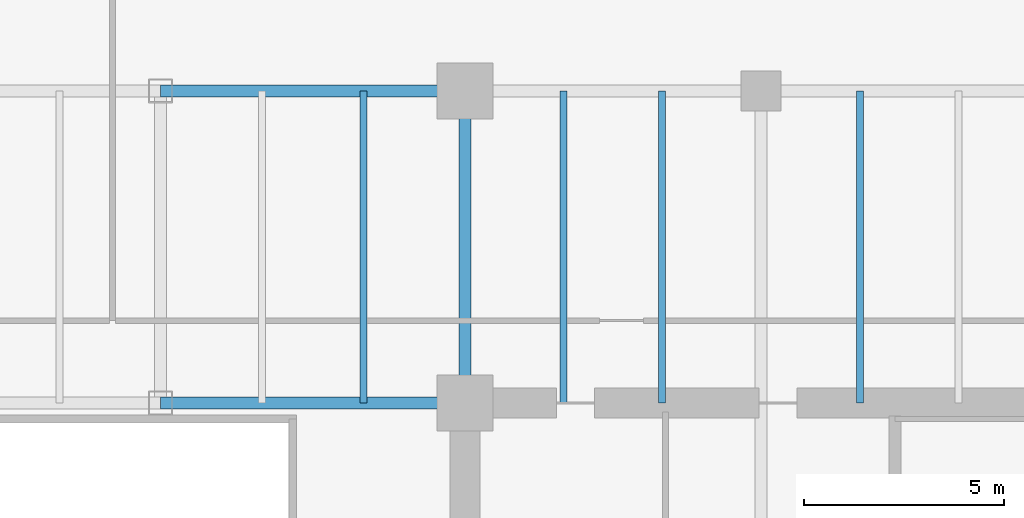
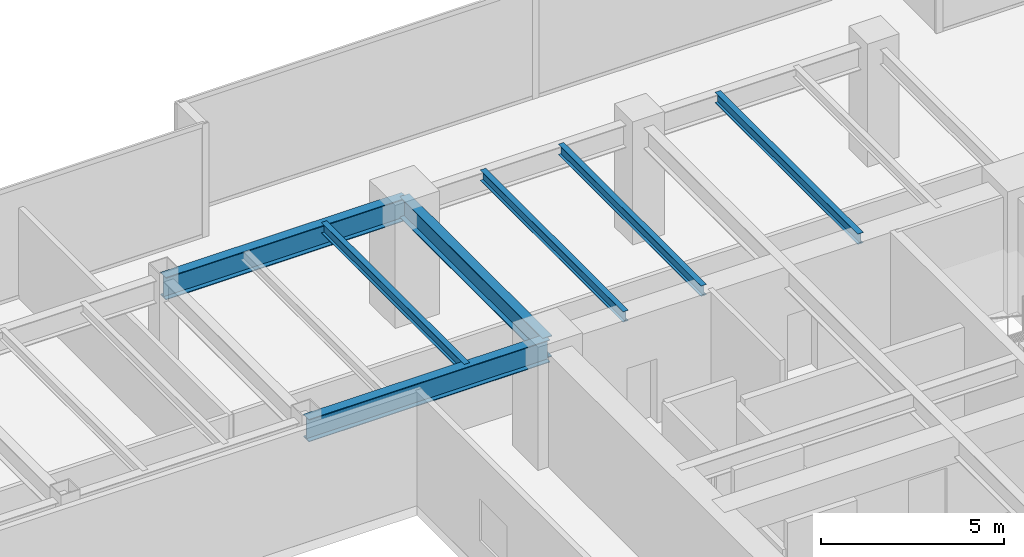
# One storey, part 19 of 35: 7 beams.
"""IFC4 building model written with IfcOpenShell, lengths in metres."""

import ifcopenshell
import ifcopenshell.guid

model = None  # the IFC model being written
_history = None  # IfcOwnerHistory: only IFC2X3 demands one
_inside = {}  # id of a spatial element -> (the spatial element, [elements in it])
_under = {}  # id of a project, library or spatial element -> (it, [spatial elements below it])
_declared = {}  # id of a project -> (the project, [libraries it declares])
_typed = {}  # id of a type object -> (the type object, [elements of that type])
_made_of = {}  # id of a material, layer set ... -> (it, [elements and type objects made of it])


def new_model(schema):
    """Start an empty IFC model of exactly this schema.

    Asked for "IFC4X3", IfcOpenShell would pick the latest addendum, in which some entities
    have other attributes; the version numbers below select the first issue.
    IFC2X3 requires an IfcOwnerHistory on every rooted entity: one is made here for all.
    """
    global model, _history
    if schema == "IFC4X3":
        model = ifcopenshell.file(schema_version=(4, 3, 0, 0))
    else:
        model = ifcopenshell.file(schema=schema)
    _inside.clear()
    _under.clear()
    _declared.clear()
    _typed.clear()
    _made_of.clear()
    _history = None
    if model.schema == "IFC2X3":
        org = make("IfcOrganization", Name="unknown")
        user = make(
            "IfcPersonAndOrganization",
            ThePerson=make("IfcPerson", FamilyName="unknown"),
            TheOrganization=org,
        )
        app = make(
            "IfcApplication",
            ApplicationDeveloper=org,
            Version="unknown",
            ApplicationFullName="unknown",
            ApplicationIdentifier="unknown",
        )
        _history = make(
            "IfcOwnerHistory",
            OwningUser=user,
            OwningApplication=app,
            ChangeAction="ADDED",
            CreationDate=0,
        )
    return model


def make(cls, **values):
    """One entity of the class cls with the attributes given. An attribute that is None is left unset."""
    return model.create_entity(
        cls, **{name: value for name, value in values.items() if value is not None}
    )


def rooted(cls, **values):
    """An entity with a GlobalId (a new one), such as an element, a storey or a relation."""
    return make(cls, GlobalId=ifcopenshell.guid.new(), OwnerHistory=_history, **values)


def si_unit(unit_type, name, prefix=None):
    """IfcSIUnit, for example si_unit("LENGTHUNIT", "METRE", prefix="MILLI")."""
    return make("IfcSIUnit", UnitType=unit_type, Prefix=prefix, Name=name)


def assignment(units):
    """IfcUnitAssignment: the units of a project."""
    return None if units is None else make("IfcUnitAssignment", Units=units)


def point(xyz):
    """IfcCartesianPoint."""
    return None if xyz is None else make("IfcCartesianPoint", Coordinates=xyz)


def direction(xyz):
    """IfcDirection."""
    return None if xyz is None else make("IfcDirection", DirectionRatios=xyz)


def frame(location, z_axis=None, x_axis=None):
    """IfcAxis2Placement3D, a coordinate frame: its origin and axes. An axis left out is left unset."""
    return make(
        "IfcAxis2Placement3D",
        Location=point(location),
        Axis=direction(z_axis),
        RefDirection=direction(x_axis),
    )


def frame_2d(location, x_axis=None):
    """IfcAxis2Placement2D, a coordinate frame in the plane: its origin and x axis."""
    return make(
        "IfcAxis2Placement2D", Location=point(location), RefDirection=direction(x_axis)
    )


def origin():
    """The frame at (0, 0, 0) with its axes left unset."""
    return frame((0.0, 0.0, 0.0))


def origin_2d():
    """The frame at (0, 0) in the plane with its x axis left unset."""
    return frame_2d((0.0, 0.0))


def place(relative_to, where):
    """IfcLocalPlacement: puts the frame where relative to a parent placement (None: the world)."""
    return make(
        "IfcLocalPlacement", PlacementRelTo=relative_to, RelativePlacement=where
    )


def context(
    kind, dimensions, precision=None, world=None, true_north=None, identifier=None
):
    """IfcGeometricRepresentationContext, for example the 3D "Model" context."""
    return make(
        "IfcGeometricRepresentationContext",
        ContextIdentifier=identifier,
        ContextType=kind,
        CoordinateSpaceDimension=dimensions,
        Precision=precision,
        WorldCoordinateSystem=world,
        TrueNorth=true_north,
    )


def subcontext(parent, identifier, kind, view, scale=None):
    """IfcGeometricRepresentationSubContext, for example "Body" below "Model"."""
    return make(
        "IfcGeometricRepresentationSubContext",
        ContextIdentifier=identifier,
        ContextType=kind,
        ParentContext=parent,
        TargetScale=scale,
        TargetView=view,
    )


def project(units=None, contexts=None):
    """IfcProject with its units and contexts."""
    return rooted(
        "IfcProject",
        Name="project",
        RepresentationContexts=contexts,
        UnitsInContext=assignment(units),
    )


def spatial(cls, under=None, at=None, **own):
    """A site, building, storey or space (cls), placed at a placement, below another one or the project."""
    s = rooted(cls, ObjectPlacement=at, **own)
    if under is not None:
        _under.setdefault(under.id(), (under, []))[1].append(s)
    return s


def profile(cls, at=None, kind="AREA", **sizes):
    """A parametric profile (cls). Its sizes go by their IFC names, for example OverallWidth=200.0."""
    return make(cls, ProfileType=kind, Position=at, **sizes)


def i_section(**sizes):
    """IfcIShapeProfileDef."""
    return profile("IfcIShapeProfileDef", **sizes)


def extrude(swept, where, along, depth):
    """IfcExtrudedAreaSolid: the profile swept, set in the frame where, extruded along a direction by depth."""
    return make(
        "IfcExtrudedAreaSolid",
        SweptArea=swept,
        Position=where,
        ExtrudedDirection=direction(along),
        Depth=depth,
    )


def shape(context_of_items, identifier, shape_type, items):
    """IfcShapeRepresentation: the items that make up one representation, for example the "Body"."""
    return make(
        "IfcShapeRepresentation",
        ContextOfItems=context_of_items,
        RepresentationIdentifier=identifier,
        RepresentationType=shape_type,
        Items=items,
    )


def source(mapping_origin, context_of_items, identifier, shape_type, items):
    """IfcRepresentationMap: a shape defined once, which mapped items show again and again."""
    return make(
        "IfcRepresentationMap",
        MappingOrigin=mapping_origin,
        MappedRepresentation=shape(context_of_items, identifier, shape_type, items),
    )


def transform(
    local_origin,
    x_axis=None,
    y_axis=None,
    z_axis=None,
    scale=None,
    scale2=None,
    scale3=None,
    uniform=True,
):
    """IfcCartesianTransformationOperator3D, or its non-uniform kind. x_axis, y_axis, z_axis: its Axis1, 2, 3."""
    if uniform:
        return make(
            "IfcCartesianTransformationOperator3D",
            Axis1=direction(x_axis),
            Axis2=direction(y_axis),
            LocalOrigin=point(local_origin),
            Scale=scale,
            Axis3=direction(z_axis),
        )
    return make(
        "IfcCartesianTransformationOperator3DnonUniform",
        Axis1=direction(x_axis),
        Axis2=direction(y_axis),
        LocalOrigin=point(local_origin),
        Scale=scale,
        Axis3=direction(z_axis),
        Scale2=scale2,
        Scale3=scale3,
    )


def mapped(mapping_source, mapping_target):
    """IfcMappedItem: shows the shape of a source again, moved by a transform."""
    return make(
        "IfcMappedItem", MappingSource=mapping_source, MappingTarget=mapping_target
    )


def material(Name=None, Category=None):
    """IfcMaterial."""
    return make("IfcMaterial", Name=Name, Category=Category)


def material_profile(
    of_material, cross_section, Name=None, Category=None, Priority=None
):
    """IfcMaterialProfile: a cross section and its material."""
    return make(
        "IfcMaterialProfile",
        Name=Name,
        Material=of_material,
        Profile=cross_section,
        Priority=Priority,
        Category=Category,
    )


def profile_set(profiles, Name=None, composite=None):
    """IfcMaterialProfileSet."""
    return make(
        "IfcMaterialProfileSet",
        Name=Name,
        MaterialProfiles=profiles,
        CompositeProfile=composite,
    )


def made_of(thing, what):
    """Note that an element or type object is made of a material, layer set ...; save() writes the relation."""
    if what is not None:
        _made_of.setdefault(what.id(), (what, []))[1].append(thing)
    return thing


def type_object(cls, material=None, **own):
    """A type object (cls), such as IfcWallType, which elements share."""
    return made_of(rooted(cls, **own), material)


def type_shapes(of_type, sources):
    """Give a type object the sources (RepresentationMaps) that its elements show as mapped items."""
    of_type.RepresentationMaps = sources


def element(
    cls,
    number,
    at=None,
    inside=None,
    cuts=None,
    type_object=None,
    material=None,
    context=None,
    identifier="Body",
    shape_type=None,
    held_by="IfcProductDefinitionShape",
    body=None,
    shapes=None,
    **own,
):
    """One element of the class cls, such as IfcWall. Its Tag is "e" and its number.

    at: its placement. inside: the storey or other place that contains it. cuts: it is an
    opening in that element (IfcRelVoidsElement). A single representation is given by context,
    identifier, shape_type and body (its items); several are given by shapes. held_by: the class
    of the entity that holds the representations. save() writes the other relations.
    """
    e = rooted(cls, Tag="e%d" % number, ObjectPlacement=at, **own)
    if body is not None:
        shapes = [shape(context, identifier, shape_type, body)]
    if shapes is not None:
        e.Representation = make(held_by, Representations=shapes)
    if inside is not None:
        _inside.setdefault(inside.id(), (inside, []))[1].append(e)
    if cuts is not None:
        rooted(
            "IfcRelVoidsElement", RelatingBuildingElement=cuts, RelatedOpeningElement=e
        )
    if type_object is not None:
        _typed.setdefault(type_object.id(), (type_object, []))[1].append(e)
    return made_of(e, material)


def aggregate(whole, parts):
    """IfcRelAggregates: a whole, such as a stair, and the parts it consists of."""
    return rooted("IfcRelAggregates", RelatingObject=whole, RelatedObjects=parts)


def save(model, path):
    """Write the relations noted so far, then the file.

    IfcRelAggregates (storeys below a building ...), IfcRelContainedInSpatialStructure (elements
    in a storey), IfcRelDefinesByType, IfcRelAssociatesMaterial and IfcRelDeclares: one each for
    every whole, place, type object, material and project.
    """
    for whole, parts in _under.values():
        aggregate(whole, parts)
    for where, things in _inside.values():
        rooted(
            "IfcRelContainedInSpatialStructure",
            RelatedElements=things,
            RelatingStructure=where,
        )
    for kind, things in _typed.values():
        rooted("IfcRelDefinesByType", RelatedObjects=things, RelatingType=kind)
    for what, things in _made_of.values():
        rooted("IfcRelAssociatesMaterial", RelatedObjects=things, RelatingMaterial=what)
    for by, libraries in _declared.values():
        rooted("IfcRelDeclares", RelatingContext=by, RelatedDefinitions=libraries)
    model.write(path)


model = new_model("IFC4")

# Units and contexts
model_context = context("Model", 3, precision=1e-05, world=origin(), true_north=direction((0.0, 1.0)))
body_context = subcontext(model_context, "Body", "Model", "MODEL_VIEW")
ifc_project = project(units=[si_unit("LENGTHUNIT", "METRE"), si_unit("AREAUNIT", "SQUARE_METRE"), si_unit("VOLUMEUNIT", "CUBIC_METRE"), si_unit("PLANEANGLEUNIT", "RADIAN"), si_unit("MASSUNIT", "GRAM", prefix="KILO")], contexts=[model_context])

# Site, building, storey
site_placement = place(None, origin())
site = spatial("IfcSite", under=ifc_project, at=site_placement, CompositionType="ELEMENT")
building_placement = place(site_placement, origin())
building = spatial("IfcBuilding", under=site, at=building_placement, Name="Haelvirn Gate Laboratories", CompositionType="ELEMENT")
storey_placement = place(building_placement, frame((0.0, 0.0, 41.60009765625)))
storey = spatial("IfcBuildingStorey", under=building, at=storey_placement, Name="L10", CompositionType="ELEMENT", Elevation=41.60009765625)

# Beams
ifc_material = material(Name="Steel SM355", Category="steel")
ifc_material_profile_1 = material_profile(ifc_material, i_section(OverallWidth=0.300048828125, OverallDepth=0.699951171875, WebThickness=0.012939453125, FlangeThickness=0.02392578125, at=origin_2d()), Name="H-700x300x13x24")
ifc_profile_set_1 = profile_set([ifc_material_profile_1], Name="Steel SM355")
beam_type_1 = type_object("IfcBeamType", Name="BM-G-700", PredefinedType="BEAM", material=ifc_profile_set_1)
shared_shape_1 = source(origin(), body_context, "Body", "SweptSolid", [
    extrude(i_section(OverallWidth=0.300048828125, OverallDepth=0.699951171875, WebThickness=0.012939453125, FlangeThickness=0.02392578125, at=origin_2d()), origin(), (0.0, 0.0, 1.0), 7.800048828125),
])
type_shapes(beam_type_1, [shared_shape_1])
beam_placement = place(storey_placement, frame((52.60009765625, 33.800048828125, 3.429931640625), z_axis=(0.0, 1.0, 0.0), x_axis=(-1.0, 0.0, 0.0)))
element("IfcBeam", 1, at=beam_placement, inside=storey, type_object=beam_type_1, Name="L10 Frame Girder X52.6 (33.8-41.6)", PredefinedType="BEAM", context=body_context, shape_type="MappedRepresentation", body=[
    mapped(shared_shape_1, transform((0.0, 0.0, 0.0), scale=1.0)),
])
ifc_material_profile_2 = material_profile(ifc_material, i_section(OverallWidth=0.300048828125, OverallDepth=0.75, WebThickness=0.013916015625, FlangeThickness=0.02392578125, at=origin_2d()), Name="H-750x300x14x24")
ifc_profile_set_2 = profile_set([ifc_material_profile_2], Name="Steel SM355")
beam_type_2 = type_object("IfcBeamType", Name="BM-G-750", PredefinedType="BEAM", material=ifc_profile_set_2)
shared_shape_2 = source(origin(), body_context, "Body", "SweptSolid", [
    extrude(i_section(OverallWidth=0.300048828125, OverallDepth=0.75, WebThickness=0.013916015625, FlangeThickness=0.02392578125, at=origin_2d()), origin(), (0.0, 0.0, 1.0), 7.60009765625),
])
type_shapes(beam_type_2, [shared_shape_2])
for number, where, z_axis, x_axis, name in (
    (2, (45.0, 33.800048828125, 3.40478515625), (1.0, 0.0, 0.0), (0.0, 1.0, 0.0), "L10 Primary Girder Y33.8 (45.0-52.6)"),
    (3, (45.0, 41.60009765625, 3.40478515625), (1.0, 0.0, 0.0), (0.0, 1.0, 0.0), "L10 Primary Girder Y41.6 (45.0-52.6)"),
):
    element("IfcBeam", number, at=place(storey_placement, frame(where, z_axis=z_axis, x_axis=x_axis)), inside=storey, type_object=beam_type_2, Name=name, PredefinedType="BEAM", context=body_context, shape_type="MappedRepresentation", body=[
        mapped(shared_shape_2, transform((0.0, 0.0, 0.0), scale=1.0)),
    ])
ifc_material_profile_3 = material_profile(ifc_material, i_section(OverallWidth=0.175048828125, OverallDepth=0.35009765625, WebThickness=0.007080078125, FlangeThickness=0.010986328125, at=origin_2d()), Name="H-350x175x7x11")
ifc_profile_set_3 = profile_set([ifc_material_profile_3], Name="Steel SM355")
beam_type_3 = type_object("IfcBeamType", Name="BM-J-350", PredefinedType="JOIST", material=ifc_profile_set_3)
shared_shape_3 = source(origin(), body_context, "Body", "SweptSolid", [
    extrude(i_section(OverallWidth=0.175048828125, OverallDepth=0.35009765625, WebThickness=0.007080078125, FlangeThickness=0.010986328125, at=origin_2d()), origin(), (0.0, 0.0, 1.0), 7.800048828125),
])
type_shapes(beam_type_3, [shared_shape_3])
for number, where, z_axis, x_axis, name in (
    (4, (50.070068359375, 33.800048828125, 3.60498046875), (0.0, 1.0, 0.0), (-1.0, 0.0, 0.0), "L10 Composite Lab Joist North X50.07"),
    (5, (55.070068359375, 33.800048828125, 3.60498046875), (0.0, 1.0, 0.0), (-1.0, 0.0, 0.0), "L10 Composite Lab Joist North X55.07"),
    (6, (57.530029296875, 33.800048828125, 3.60498046875), (0.0, 1.0, 0.0), (-1.0, 0.0, 0.0), "L10 Composite Lab Joist North X57.53"),
    (7, (62.469970703125, 33.800048828125, 3.60498046875), (0.0, 1.0, 0.0), (-1.0, 0.0, 0.0), "L10 Composite Lab Joist North X62.47"),
):
    element("IfcBeam", number, at=place(storey_placement, frame(where, z_axis=z_axis, x_axis=x_axis)), inside=storey, type_object=beam_type_3, Name=name, PredefinedType="JOIST", context=body_context, shape_type="MappedRepresentation", body=[
        mapped(shared_shape_3, transform((0.0, 0.0, 0.0), scale=1.0)),
    ])

save(model, "model.ifc")
